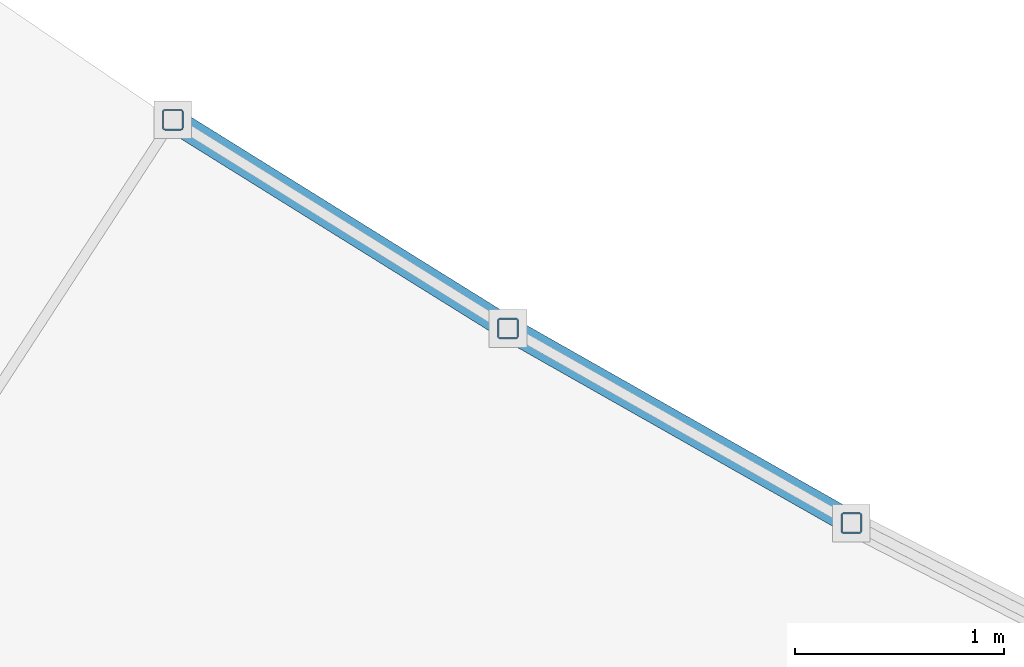
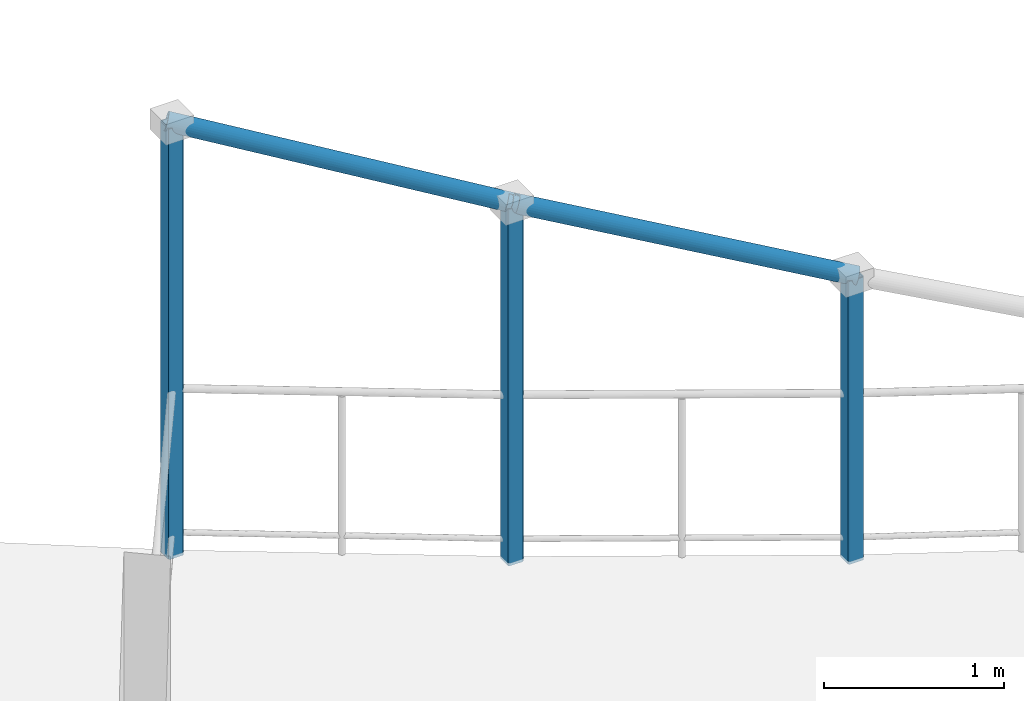
# One storey, part 4 of 58: 5 members.
"""IFC4 building model written with IfcOpenShell, lengths in metres."""

from ifc_helpers import new_model, si_unit, direction, frame, origin, origin_2d, place, context, subcontext, project, spatial, hollow_rectangle, hollow_circle, extrude, material, material_profile, profile_set, type_object, element, save


model = new_model("IFC4")

# Units and contexts
model_context = context("Model", 3, precision=1e-05, world=origin(), true_north=direction((0.0, 1.0)))
body_context = subcontext(model_context, "Body", "Model", "MODEL_VIEW")
ifc_project = project(units=[si_unit("LENGTHUNIT", "METRE"), si_unit("AREAUNIT", "SQUARE_METRE"), si_unit("VOLUMEUNIT", "CUBIC_METRE"), si_unit("PLANEANGLEUNIT", "RADIAN"), si_unit("MASSUNIT", "GRAM", prefix="KILO"), si_unit("POWERUNIT", "WATT"), si_unit("THERMODYNAMICTEMPERATUREUNIT", "KELVIN")], contexts=[model_context])

# Site, building, storey
site_placement = place(None, origin())
site = spatial("IfcSite", under=ifc_project, at=site_placement, CompositionType="ELEMENT")
building_placement = place(site_placement, origin())
building = spatial("IfcBuilding", under=site, at=building_placement, Name="Ruvembo Vaulted Housing Court", CompositionType="ELEMENT")
storey_placement = place(building_placement, frame((0.0, 0.0, 20.5)))
storey = spatial("IfcBuildingStorey", under=building, at=storey_placement, Name="L06", CompositionType="ELEMENT", Elevation=20.5)

# Members
ifc_material = material(Name="Steel S355J2", Category="steel")
ifc_material_profile_1 = material_profile(ifc_material, hollow_rectangle(XDim=0.10009765625, YDim=0.10009765625, WallThickness=0.00634765625, InnerFilletRadius=0.00634765625, OuterFilletRadius=0.0126953125, at=origin_2d()), Name="SHS 100x100x6.3")
ifc_profile_set_1 = profile_set([ifc_material_profile_1], Name="Steel S355J2")
member_type_1 = type_object("IfcMemberType", Name="MEM-FRM-SHS100", PredefinedType="STRUT", material=ifc_profile_set_1)
member_1_placement = place(storey_placement, frame((43.99462890625, 23.62841796875, -0.02001953125), z_axis=(0.0, 0.0, 1.0), x_axis=(1.0, 0.0, 0.0)))
element("IfcMember", 1, at=member_1_placement, inside=storey, type_object=member_type_1, Name="Scoop SC2 L06 Upswept Post 0A", PredefinedType="STRUT", context=body_context, shape_type="SweptSolid", body=[
    extrude(hollow_rectangle(XDim=0.10009765625, YDim=0.10009765625, WallThickness=0.00634765625, InnerFilletRadius=0.00634765625, OuterFilletRadius=0.0126953125, at=origin_2d()), origin(), (0.0, 0.0, 1.0), 2.919921875),
])
member_2_placement = place(storey_placement, frame((45.598388671875, 22.6298828125, -0.02001953125), z_axis=(0.0, 0.0, 1.0), x_axis=(1.0, 0.0, 0.0)))
element("IfcMember", 2, at=member_2_placement, inside=storey, type_object=member_type_1, Name="Scoop SC2 L06 Upswept Post 1A", PredefinedType="STRUT", context=body_context, shape_type="SweptSolid", body=[
    extrude(hollow_rectangle(XDim=0.10009765625, YDim=0.10009765625, WallThickness=0.00634765625, InnerFilletRadius=0.00634765625, OuterFilletRadius=0.0126953125, at=origin_2d()), origin(), (0.0, 0.0, 1.0), 2.419921875),
])
member_3_placement = place(storey_placement, frame((47.241943359375, 21.6982421875, -0.02001953125), z_axis=(0.0, 0.0, 1.0), x_axis=(1.0, 0.0, 0.0)))
element("IfcMember", 3, at=member_3_placement, inside=storey, type_object=member_type_1, Name="Scoop SC2 L06 Upswept Post 2A", PredefinedType="STRUT", context=body_context, shape_type="SweptSolid", body=[
    extrude(hollow_rectangle(XDim=0.10009765625, YDim=0.10009765625, WallThickness=0.00634765625, InnerFilletRadius=0.00634765625, OuterFilletRadius=0.0126953125, at=origin_2d()), origin(), (0.0, 0.0, 1.0), 1.919921875),
])
ifc_material_profile_2 = material_profile(ifc_material, hollow_circle(Radius=0.05712890625, WallThickness=0.00634765625, at=origin_2d()), Name="CHS 114.3x6.3")
ifc_profile_set_2 = profile_set([ifc_material_profile_2], Name="Steel S355J2")
member_type_2 = type_object("IfcMemberType", Name="MEM-STR-CHS114", PredefinedType="STRUT", material=ifc_profile_set_2)
member_4_placement = place(storey_placement, frame((43.96826171875, 23.64501953125, 2.908203125), z_axis=(0.820632262171, -0.511005351168, -0.255805045614), x_axis=(0.528592474199, 0.848875724838, 0.0)))
element("IfcMember", 4, at=member_4_placement, inside=storey, type_object=member_type_2, Name="Scoop SC2 L06 Upswept Crest Tube 0", PredefinedType="STRUT", context=body_context, shape_type="SweptSolid", body=[
    extrude(hollow_circle(Radius=0.05712890625, WallThickness=0.00634765625, at=origin_2d()), origin(), (0.0, 0.0, 1.0), 2.0185546875),
])
member_5_placement = place(storey_placement, frame((45.571533203125, 22.645263671875, 2.408203125), z_axis=(0.840984772651, -0.476743525463, -0.255851955431), x_axis=(0.493157801923, 0.869939872866, 0.0)))
element("IfcMember", 5, at=member_5_placement, inside=storey, type_object=member_type_2, Name="Scoop SC2 L06 Upswept Crest Tube 1", PredefinedType="STRUT", context=body_context, shape_type="SweptSolid", body=[
    extrude(hollow_circle(Radius=0.05712890625, WallThickness=0.00634765625, at=origin_2d()), origin(), (0.0, 0.0, 1.0), 2.01806640625),
])

save(model, "model.ifc")
